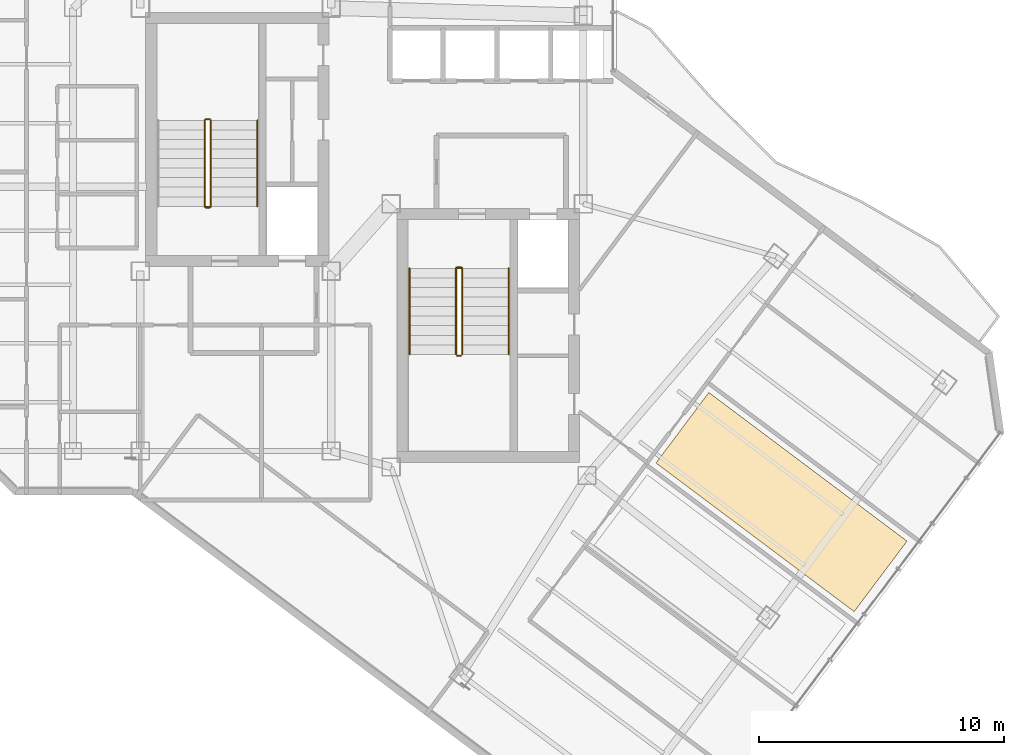
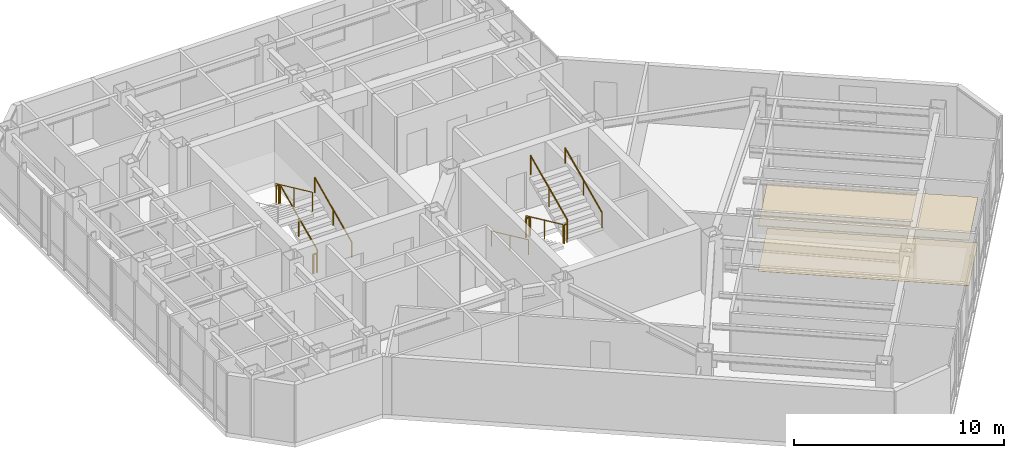
# One storey, part 24 of 26: 13 railings, 2 coverings.
"""IFC4 building model written with IfcOpenShell, lengths in metres."""

from ifc_helpers import new_model, si_unit, direction, frame, origin, origin_2d, place, context, subcontext, project, spatial, polyline, circle, outline, extrude, material, layer, layer_set, type_object, element, save


model = new_model("IFC4")

# Units and contexts
model_context = context("Model", 3, precision=1e-05, world=origin(), true_north=direction((0.0, 1.0)))
body_context = subcontext(model_context, "Body", "Model", "MODEL_VIEW")
ifc_project = project(units=[si_unit("LENGTHUNIT", "METRE"), si_unit("AREAUNIT", "SQUARE_METRE"), si_unit("VOLUMEUNIT", "CUBIC_METRE"), si_unit("PLANEANGLEUNIT", "RADIAN"), si_unit("MASSUNIT", "GRAM", prefix="KILO")], contexts=[model_context])

# Site, building, storey
site_placement = place(None, origin())
site = spatial("IfcSite", under=ifc_project, at=site_placement, CompositionType="ELEMENT")
building_placement = place(site_placement, origin())
building = spatial("IfcBuilding", under=site, at=building_placement, Name="Hatsunagi Terrace Concourse", CompositionType="ELEMENT")
storey_placement = place(building_placement, frame((0.0, 0.0, 209.550048828125)))
storey = spatial("IfcBuildingStorey", under=building, at=storey_placement, Name="L55", CompositionType="ELEMENT", Elevation=209.550048828125)

# Covering
ifc_material_1 = material(Name="Hardwood timber", Category="wood")
ifc_layer_1 = layer(ifc_material_1, 0.014892578125)
ifc_layer_set_1 = layer_set([ifc_layer_1], Name="HardwoodTimberFlooring_15")
covering_type_1 = type_object("IfcCoveringType", Name="HardwoodTimberFlooring_15", PredefinedType="FLOORING", material=ifc_layer_set_1)
covering_1_placement = place(storey_placement, origin())
element("IfcCovering", 1, at=covering_1_placement, inside=storey, type_object=covering_type_1, Name="Finished Flooring L55-2", PredefinedType="FLOORING", context=body_context, shape_type="SweptSolid", body=[
    extrude(outline(polyline([(56.8759765625, 21.51806640625), (48.780029296875, 27.590087890625), (46.6201171875, 24.7099609375), (54.716064453125, 18.637939453125), (56.8759765625, 21.51806640625)])), origin(), (0.0, 0.0, 1.0), 0.014892578125),
])

# Railings
ifc_material_2 = material(Name="Stainless steel", Category="steel")
ifc_layer_2 = layer(ifc_material_2, 0.044921875)
ifc_layer_set_2 = layer_set([ifc_layer_2], Name="StairPitchHandrail_Tower2000")
railing_type_1 = type_object("IfcRailingType", Name="StairPitchHandrail_Tower2000", PredefinedType="HANDRAIL", material=ifc_layer_set_2)
railing_1_placement = place(storey_placement, frame((30.330078125, 35.199951171875, 0.179931640625)))
element("IfcRailing", 2, at=railing_1_placement, inside=storey, type_object=railing_type_1, Name="L55 ST-A stair handrail 1", PredefinedType="HANDRAIL", context=body_context, shape_type="SweptSolid", body=[
    extrude(circle(Radius=0.02392578125, at=origin_2d()), frame((0.0, 0.0, 0.8759765625), z_axis=(0.0, 0.907948293929, 0.419082206198), x_axis=(-1.0, 0.0, 0.0)), (0.0, 0.0, 1.0), 3.865966796875),
    extrude(circle(Radius=0.02099609375, at=origin_2d()), origin(), (0.0, 0.0, 1.0), 0.851806640625),
    extrude(circle(Radius=0.02099609375, at=origin_2d()), frame((0.0, 1.7548828125, 0.81005859375)), (0.0, 0.0, 1.0), 0.851806640625),
    extrude(circle(Radius=0.02099609375, at=origin_2d()), frame((0.0, 3.510009765625, 1.6201171875)), (0.0, 0.0, 1.0), 0.851806640625),
])
railing_2_placement = place(storey_placement, frame((36.550048828125, 32.659912109375, 0.179931640625)))
element("IfcRailing", 3, at=railing_2_placement, inside=storey, type_object=railing_type_1, Name="L55 ST-B stair handrail 1", PredefinedType="HANDRAIL", context=body_context, shape_type="SweptSolid", body=[
    extrude(circle(Radius=0.02392578125, at=origin_2d()), frame((0.0, 0.0, 0.8759765625), z_axis=(0.0, -0.907948293929, 0.419082206198), x_axis=(1.0, 0.0, 0.0)), (0.0, 0.0, 1.0), 3.865966796875),
    extrude(circle(Radius=0.02099609375, at=origin_2d()), origin(), (0.0, 0.0, 1.0), 0.851806640625),
    extrude(circle(Radius=0.02099609375, at=origin_2d()), frame((0.0, -1.7548828125, 0.81005859375)), (0.0, 0.0, 1.0), 0.851806640625),
    extrude(circle(Radius=0.02099609375, at=origin_2d()), frame((0.0, -3.510009765625, 1.6201171875)), (0.0, 0.0, 1.0), 0.851806640625),
])
railing_3_placement = place(storey_placement, frame((40.60009765625, 29.14990234375, 1.97998046875)))
element("IfcRailing", 4, at=railing_3_placement, inside=storey, type_object=railing_type_1, Name="L55 ST-B stair handrail 2", PredefinedType="HANDRAIL", context=body_context, shape_type="SweptSolid", body=[
    extrude(circle(Radius=0.02392578125, at=origin_2d()), frame((0.0, 0.0, 0.8759765625), z_axis=(0.0, 0.907972323039, 0.419030142823), x_axis=(-1.0, 0.0, 0.0)), (0.0, 0.0, 1.0), 3.86572265625),
    extrude(circle(Radius=0.02099609375, at=origin_2d()), origin(), (0.0, 0.0, 1.0), 0.851806640625),
    extrude(circle(Radius=0.02099609375, at=origin_2d()), frame((0.0, 1.7548828125, 0.81005859375)), (0.0, 0.0, 1.0), 0.851806640625),
    extrude(circle(Radius=0.02099609375, at=origin_2d()), frame((0.0, 3.510009765625, 1.619873046875)), (0.0, 0.0, 1.0), 0.851806640625),
])
ifc_material_3 = material(Name="Stainless steel", Category="steel")
ifc_layer_3 = layer(ifc_material_3, 0.06005859375)
ifc_layer_set_3 = layer_set([ifc_layer_3], Name="StairWellGuard_Tower2000")
railing_type_2 = type_object("IfcRailingType", Name="StairWellGuard_Tower2000", PredefinedType="BALUSTRADE", material=ifc_layer_set_3)
railing_4_placement = place(storey_placement, frame((28.429931640625, 35.199951171875, 0.179931640625)))
element("IfcRailing", 5, at=railing_4_placement, inside=storey, type_object=railing_type_2, Name="L55 ST-A stair guard 1", PredefinedType="BALUSTRADE", context=body_context, shape_type="SweptSolid", body=[
    extrude(circle(Radius=0.02392578125, at=origin_2d()), frame((0.0, 0.0, 1.09619140625), z_axis=(0.0, 0.907948293929, 0.419082206198), x_axis=(-1.0, 0.0, 0.0)), (0.0, 0.0, 1.0), 3.865966796875),
    extrude(circle(Radius=0.02099609375, at=origin_2d()), origin(), (0.0, 0.0, 1.0), 1.072021484375),
    extrude(circle(Radius=0.02099609375, at=origin_2d()), frame((0.0, 1.7548828125, 0.81005859375)), (0.0, 0.0, 1.0), 1.072021484375),
    extrude(circle(Radius=0.02099609375, at=origin_2d()), frame((0.0, 3.510009765625, 1.6201171875)), (0.0, 0.0, 1.0), 1.072021484375),
])
railing_5_placement = place(storey_placement, frame((28.3798828125, 38.760009765625, 1.800048828125)))
element("IfcRailing", 6, at=railing_5_placement, inside=storey, type_object=railing_type_2, Name="L55 ST-A stair guard 2", PredefinedType="BALUSTRADE", context=body_context, shape_type="SweptSolid", body=[
    extrude(circle(Radius=0.02392578125, at=origin_2d()), frame((0.0, 0.0, 1.09619140625), z_axis=(-1.0, 0.0, 0.0), x_axis=(0.0, -1.0, 0.0)), (0.0, 0.0, 1.0), 0.14990234375),
    extrude(circle(Radius=0.02099609375, at=origin_2d()), origin(), (0.0, 0.0, 1.0), 1.072021484375),
    extrude(circle(Radius=0.02099609375, at=origin_2d()), frame((-0.14990234375, 0.0, 0.0)), (0.0, 0.0, 1.0), 1.072021484375),
])
railing_6_placement = place(storey_placement, frame((28.179931640625, 38.7099609375, 1.97998046875)))
element("IfcRailing", 7, at=railing_6_placement, inside=storey, type_object=railing_type_2, Name="L55 ST-A stair guard 3", PredefinedType="BALUSTRADE", context=body_context, shape_type="SweptSolid", body=[
    extrude(circle(Radius=0.02392578125, at=origin_2d()), frame((0.0, 0.0, 1.09619140625), z_axis=(0.0, -0.907972323039, 0.419030142823), x_axis=(1.0, 0.0, 0.0)), (0.0, 0.0, 1.0), 3.86572265625),
    extrude(circle(Radius=0.02099609375, at=origin_2d()), origin(), (0.0, 0.0, 1.0), 1.072021484375),
    extrude(circle(Radius=0.02099609375, at=origin_2d()), frame((0.0, -1.7548828125, 0.81005859375)), (0.0, 0.0, 1.0), 1.072021484375),
    extrude(circle(Radius=0.02099609375, at=origin_2d()), frame((0.0, -3.510009765625, 1.619873046875)), (0.0, 0.0, 1.0), 1.072021484375),
])
railing_7_placement = place(storey_placement, frame((28.3798828125, 35.14990234375, 0.0)))
element("IfcRailing", 8, at=railing_7_placement, inside=storey, type_object=railing_type_2, Name="L55 ST-A stair guard 4", PredefinedType="BALUSTRADE", context=body_context, shape_type="SweptSolid", body=[
    extrude(circle(Radius=0.02392578125, at=origin_2d()), frame((0.0, 0.0, 1.09619140625), z_axis=(-1.0, 0.0, 0.0), x_axis=(0.0, -1.0, 0.0)), (0.0, 0.0, 1.0), 0.14990234375),
    extrude(circle(Radius=0.02099609375, at=origin_2d()), origin(), (0.0, 0.0, 1.0), 1.072021484375),
    extrude(circle(Radius=0.02099609375, at=origin_2d()), frame((-0.14990234375, 0.0, 0.0)), (0.0, 0.0, 1.0), 1.072021484375),
])
railing_8_placement = place(storey_placement, frame((38.449951171875, 32.659912109375, 0.179931640625)))
element("IfcRailing", 9, at=railing_8_placement, inside=storey, type_object=railing_type_2, Name="L55 ST-B stair guard 1", PredefinedType="BALUSTRADE", context=body_context, shape_type="SweptSolid", body=[
    extrude(circle(Radius=0.02392578125, at=origin_2d()), frame((0.0, 0.0, 1.09619140625), z_axis=(0.0, -0.907948293929, 0.419082206198), x_axis=(1.0, 0.0, 0.0)), (0.0, 0.0, 1.0), 3.865966796875),
    extrude(circle(Radius=0.02099609375, at=origin_2d()), origin(), (0.0, 0.0, 1.0), 1.072021484375),
    extrude(circle(Radius=0.02099609375, at=origin_2d()), frame((0.0, -1.7548828125, 0.81005859375)), (0.0, 0.0, 1.0), 1.072021484375),
    extrude(circle(Radius=0.02099609375, at=origin_2d()), frame((0.0, -3.510009765625, 1.6201171875)), (0.0, 0.0, 1.0), 1.072021484375),
])
railing_9_placement = place(storey_placement, frame((38.5, 29.10009765625, 1.800048828125)))
element("IfcRailing", 10, at=railing_9_placement, inside=storey, type_object=railing_type_2, Name="L55 ST-B stair guard 2", PredefinedType="BALUSTRADE", context=body_context, shape_type="SweptSolid", body=[
    extrude(circle(Radius=0.02392578125, at=origin_2d()), frame((0.0, 0.0, 1.09619140625), z_axis=(1.0, 0.0, 0.0), x_axis=(0.0, 1.0, 0.0)), (0.0, 0.0, 1.0), 0.14990234375),
    extrude(circle(Radius=0.02099609375, at=origin_2d()), origin(), (0.0, 0.0, 1.0), 1.072021484375),
    extrude(circle(Radius=0.02099609375, at=origin_2d()), frame((0.14990234375, 0.0, 0.0)), (0.0, 0.0, 1.0), 1.072021484375),
])
railing_10_placement = place(storey_placement, frame((38.699951171875, 29.14990234375, 1.97998046875)))
element("IfcRailing", 11, at=railing_10_placement, inside=storey, type_object=railing_type_2, Name="L55 ST-B stair guard 3", PredefinedType="BALUSTRADE", context=body_context, shape_type="SweptSolid", body=[
    extrude(circle(Radius=0.02392578125, at=origin_2d()), frame((0.0, 0.0, 1.09619140625), z_axis=(0.0, 0.907972323039, 0.419030142823), x_axis=(-1.0, 0.0, 0.0)), (0.0, 0.0, 1.0), 3.86572265625),
    extrude(circle(Radius=0.02099609375, at=origin_2d()), origin(), (0.0, 0.0, 1.0), 1.072021484375),
    extrude(circle(Radius=0.02099609375, at=origin_2d()), frame((0.0, 1.7548828125, 0.81005859375)), (0.0, 0.0, 1.0), 1.072021484375),
    extrude(circle(Radius=0.02099609375, at=origin_2d()), frame((0.0, 3.510009765625, 1.619873046875)), (0.0, 0.0, 1.0), 1.072021484375),
])
railing_11_placement = place(storey_placement, frame((38.5, 32.7099609375, 0.0)))
element("IfcRailing", 12, at=railing_11_placement, inside=storey, type_object=railing_type_2, Name="L55 ST-B stair guard 4", PredefinedType="BALUSTRADE", context=body_context, shape_type="SweptSolid", body=[
    extrude(circle(Radius=0.02392578125, at=origin_2d()), frame((0.0, 0.0, 1.09619140625), z_axis=(1.0, 0.0, 0.0), x_axis=(0.0, 1.0, 0.0)), (0.0, 0.0, 1.0), 0.14990234375),
    extrude(circle(Radius=0.02099609375, at=origin_2d()), origin(), (0.0, 0.0, 1.0), 1.072021484375),
    extrude(circle(Radius=0.02099609375, at=origin_2d()), frame((0.14990234375, 0.0, 0.0)), (0.0, 0.0, 1.0), 1.072021484375),
])
ifc_material_4 = material(Name="Stainless Steel SUS316 Post-and-Rail Guard", Category="steel")
ifc_layer_4 = layer(ifc_material_4, 0.080078125)
ifc_layer_set_4 = layer_set([ifc_layer_4], Name="TerracePlantedGuardRail_1200")
railing_type_3 = type_object("IfcRailingType", Name="TerracePlantedGuardRail_1200", PredefinedType="GUARDRAIL", material=ifc_layer_set_4)
for number, where, name in (
    (13, (28.179931640625, 35.179931640625, 0.0), "Stair ST-A Well Closure Guard L55"),
    (14, (38.449951171875, 32.679931640625, 0.0), "Stair ST-B Well Closure Guard L55"),
):
    element("IfcRailing", number, at=place(storey_placement, frame(where)), inside=storey, type_object=railing_type_3, Name=name, PredefinedType="GUARDRAIL", context=body_context, shape_type="SweptSolid", body=[
        extrude(circle(Radius=0.02392578125, at=origin_2d()), frame((0.0, 0.0, 1.09619140625), z_axis=(1.0, 0.0, 0.0), x_axis=(0.0, 1.0, 0.0)), (0.0, 0.0, 1.0), 0.25),
        extrude(circle(Radius=0.02099609375, at=origin_2d()), origin(), (0.0, 0.0, 1.0), 1.072021484375),
        extrude(circle(Radius=0.02099609375, at=origin_2d()), frame((0.25, 0.0, 0.0)), (0.0, 0.0, 1.0), 1.072021484375),
    ])

# Covering
ifc_material_5 = material(Name="Hardwood timber", Category="wood")
ifc_layer_5 = layer(ifc_material_5, 0.034912109375)
ifc_layer_set_5 = layer_set([ifc_layer_5], Name="TimberBaffleCeiling_35")
covering_type_2 = type_object("IfcCoveringType", Name="TimberBaffleCeiling_35", PredefinedType="CEILING", material=ifc_layer_set_5)
covering_2_placement = place(storey_placement, frame((0.0, 0.0, 2.6298828125)))
element("IfcCovering", 15, at=covering_2_placement, inside=storey, type_object=covering_type_2, Name="Suspended Ceiling L55-2", PredefinedType="CEILING", context=body_context, shape_type="SweptSolid", body=[
    extrude(outline(polyline([(56.8759765625, 21.51806640625), (48.780029296875, 27.590087890625), (46.6201171875, 24.7099609375), (54.716064453125, 18.637939453125), (56.8759765625, 21.51806640625)])), origin(), (0.0, 0.0, 1.0), 0.03515625),
])

save(model, "model.ifc")
